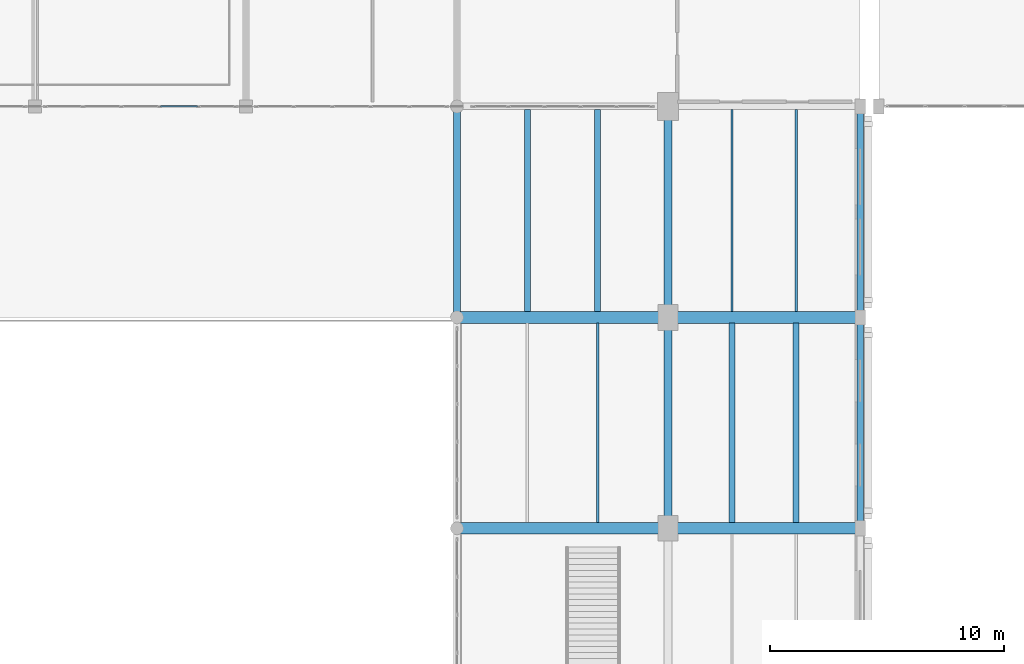
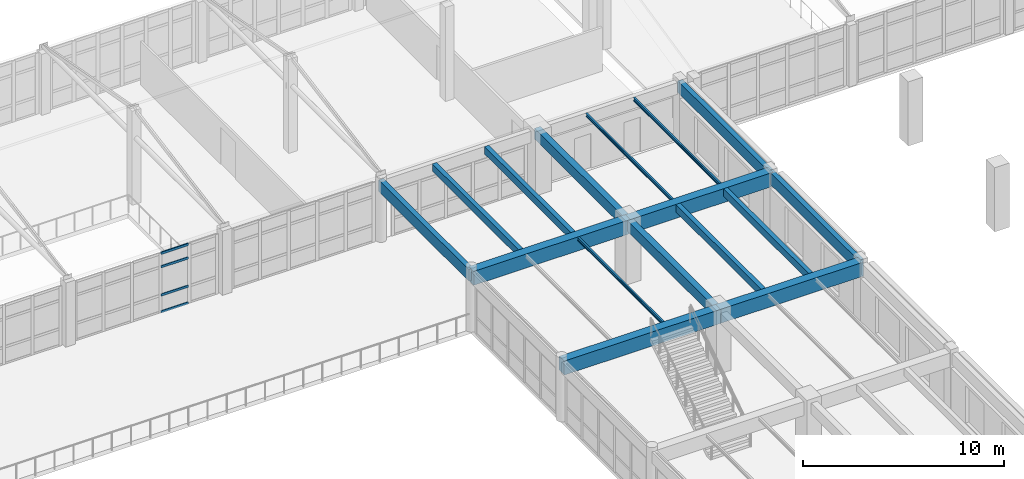
# One storey, part 63 of 156: 16 beams, 4 members, 1 element without a shape of its own.
"""IFC4 building model written with IfcOpenShell, lengths in metres."""

from ifc_helpers import new_model, si_unit, direction, frame, origin, origin_2d, place, context, subcontext, project, spatial, rectangle, hollow_rectangle, i_section, extrude, material, layer, layer_set, material_profile, profile_set, type_object, element, aggregate, save


model = new_model("IFC4")

# Units and contexts
model_context = context("Model", 3, precision=1e-05, world=origin(), true_north=direction((0.0, 1.0)))
body_context = subcontext(model_context, "Body", "Model", "MODEL_VIEW")
ifc_project = project(units=[si_unit("LENGTHUNIT", "METRE"), si_unit("AREAUNIT", "SQUARE_METRE"), si_unit("VOLUMEUNIT", "CUBIC_METRE"), si_unit("PLANEANGLEUNIT", "RADIAN"), si_unit("MASSUNIT", "GRAM", prefix="KILO")], contexts=[model_context])

# Site, building, storey
site_placement = place(None, origin())
site = spatial("IfcSite", under=ifc_project, at=site_placement, CompositionType="ELEMENT")
building_placement = place(site_placement, origin())
building = spatial("IfcBuilding", under=site, at=building_placement, Name="Ornek Quay Market", CompositionType="ELEMENT")
storey_placement = place(building_placement, frame((0.0, 0.0, 4.5)))
storey = spatial("IfcBuildingStorey", under=building, at=storey_placement, Name="L01", CompositionType="ELEMENT", Elevation=4.5)

# Beams
ifc_material_1 = material(Name="Concrete C35/45", Category="concrete")
ifc_material_profile_1 = material_profile(ifc_material_1, rectangle(XDim=0.35009765625, YDim=0.64990234375, at=origin_2d()), Name="RC 350x650", Category="concrete")
ifc_profile_set_1 = profile_set([ifc_material_profile_1], Name="Concrete C35/45")
beam_type_1 = type_object("IfcBeamType", Name="BM-CONC-350x650", PredefinedType="BEAM", material=ifc_profile_set_1)
for number, where, z_axis, x_axis, name in (
    (1, (117.0, 74.0, 3.3349609375), (0.0, 1.0, 0.0), (-1.0, 0.0, 0.0), "Primary beam B-CN1-126"),
    (2, (117.0, 83.0, 3.3349609375), (0.0, 1.0, 0.0), (-1.0, 0.0, 0.0), "Primary beam B-CN1-127"),
):
    element("IfcBeam", number, at=place(storey_placement, frame(where, z_axis=z_axis, x_axis=x_axis)), inside=storey, type_object=beam_type_1, Name=name, PredefinedType="BEAM", context=body_context, shape_type="SweptSolid", body=[
        extrude(rectangle(XDim=0.35009765625, YDim=0.64990234375, at=origin_2d()), origin(), (0.0, 0.0, 1.0), 9.0),
    ])
ifc_material_2 = material(Name="Concrete C40/50", Category="concrete")
ifc_material_profile_2 = material_profile(ifc_material_2, rectangle(XDim=0.5, YDim=0.85009765625, at=origin_2d()), Name="RC 500x850", Category="concrete")
ifc_profile_set_2 = profile_set([ifc_material_profile_2], Name="Concrete C40/50")
beam_type_2 = type_object("IfcBeamType", Name="BM-GAL-500x850", PredefinedType="BEAM", material=ifc_profile_set_2)
beam_1_placement = place(storey_placement, frame((108.0, 74.0, 3.235107421875), z_axis=(1.0, 0.0, 0.0), x_axis=(0.0, 1.0, 0.0)))
element("IfcBeam", 3, at=beam_1_placement, inside=storey, type_object=beam_type_2, Name="Primary beam B-GL1-087", PredefinedType="BEAM", context=body_context, shape_type="SweptSolid", body=[
    extrude(rectangle(XDim=0.5, YDim=0.85009765625, at=origin_2d()), origin(), (0.0, 0.0, 1.0), 9.0),
])
beam_2_placement = place(storey_placement, frame((117.0, 74.0, 3.235107421875), z_axis=(1.0, 0.0, 0.0), x_axis=(0.0, 1.0, 0.0)))
element("IfcBeam", 4, at=beam_2_placement, inside=storey, type_object=beam_type_2, Name="Primary beam B-GL1-088", PredefinedType="BEAM", context=body_context, shape_type="SweptSolid", body=[
    extrude(rectangle(XDim=0.5, YDim=0.85009765625, at=origin_2d()), origin(), (0.0, 0.0, 1.0), 8.199951171875),
])
beam_3_placement = place(storey_placement, frame((108.0, 83.0, 3.235107421875), z_axis=(1.0, 0.0, 0.0), x_axis=(0.0, 1.0, 0.0)))
element("IfcBeam", 5, at=beam_3_placement, inside=storey, type_object=beam_type_2, Name="Primary beam B-GL1-089", PredefinedType="BEAM", context=body_context, shape_type="SweptSolid", body=[
    extrude(rectangle(XDim=0.5, YDim=0.85009765625, at=origin_2d()), origin(), (0.0, 0.0, 1.0), 9.0),
])
beam_4_placement = place(storey_placement, frame((117.0, 83.0, 3.235107421875), z_axis=(1.0, 0.0, 0.0), x_axis=(0.0, 1.0, 0.0)))
element("IfcBeam", 6, at=beam_4_placement, inside=storey, type_object=beam_type_2, Name="Primary beam B-GL1-090", PredefinedType="BEAM", context=body_context, shape_type="SweptSolid", body=[
    extrude(rectangle(XDim=0.5, YDim=0.85009765625, at=origin_2d()), origin(), (0.0, 0.0, 1.0), 8.199951171875),
])
ifc_material_profile_3 = material_profile(ifc_material_1, rectangle(XDim=0.25, YDim=0.449951171875, at=origin_2d()), Name="RC 250x450", Category="concrete")
ifc_profile_set_3 = profile_set([ifc_material_profile_3], Name="Concrete C35/45")
beam_type_3 = type_object("IfcBeamType", Name="BM-SEC-250x450", PredefinedType="JOIST", material=ifc_profile_set_3)
for number, where, z_axis, x_axis, name in (
    (7, (111.0, 83.241943359375, 3.43505859375), (0.0, 1.0, 0.0), (-1.0, 0.0, 0.0), "Secondary joist B-SC3-029"),
    (8, (114.0, 83.241943359375, 3.43505859375), (0.0, 1.0, 0.0), (-1.0, 0.0, 0.0), "Secondary joist B-SC3-030"),
):
    element("IfcBeam", number, at=place(storey_placement, frame(where, z_axis=z_axis, x_axis=x_axis)), inside=storey, type_object=beam_type_3, Name=name, PredefinedType="JOIST", context=body_context, shape_type="SweptSolid", body=[
        extrude(rectangle(XDim=0.25, YDim=0.449951171875, at=origin_2d()), origin(), (0.0, 0.0, 1.0), 8.6259765625),
    ])
for number, where, z_axis, x_axis, name in (
    (9, (119.7333984375, 74.241943359375, 3.43505859375), (0.0, 1.0, 0.0), (-1.0, 0.0, 0.0), "Secondary joist B-SC3-035"),
    (10, (122.466796875, 74.241943359375, 3.43505859375), (0.0, 1.0, 0.0), (-1.0, 0.0, 0.0), "Secondary joist B-SC3-036"),
):
    element("IfcBeam", number, at=place(storey_placement, frame(where, z_axis=z_axis, x_axis=x_axis)), inside=storey, type_object=beam_type_3, Name=name, PredefinedType="JOIST", context=body_context, shape_type="SweptSolid", body=[
        extrude(rectangle(XDim=0.25, YDim=0.449951171875, at=origin_2d()), origin(), (0.0, 0.0, 1.0), 8.51611328125),
    ])
ifc_material_profile_4 = material_profile(ifc_material_1, rectangle(XDim=0.280029296875, YDim=0.699951171875, at=origin_2d()), Name="RC 280x700", Category="concrete")
ifc_profile_set_4 = profile_set([ifc_material_profile_4], Name="Concrete C35/45")
beam_type_4 = type_object("IfcBeamType", Name="BM-SPN-280x700", PredefinedType="SPANDREL", material=ifc_profile_set_4)
for number, where, z_axis, x_axis, name in (
    (11, (108.0, 83.0, 3.31005859375), (0.0, 1.0, 0.0), (-1.0, 0.0, 0.0), "Primary beam B-SP2-079"),
    (12, (125.199951171875, 74.0, 3.31005859375), (0.0, 1.0, 0.0), (-1.0, 0.0, 0.0), "Primary beam B-SP2-085"),
    (13, (125.199951171875, 83.0, 3.31005859375), (0.0, 1.0, 0.0), (-1.0, 0.0, 0.0), "Primary beam B-SP2-086"),
):
    element("IfcBeam", number, at=place(storey_placement, frame(where, z_axis=z_axis, x_axis=x_axis)), inside=storey, type_object=beam_type_4, Name=name, PredefinedType="SPANDREL", context=body_context, shape_type="SweptSolid", body=[
        extrude(rectangle(XDim=0.280029296875, YDim=0.699951171875, at=origin_2d()), origin(), (0.0, 0.0, 1.0), 9.0),
    ])
ifc_material_3 = material(Name="Steel S355", Category="steel")
ifc_material_profile_5 = material_profile(ifc_material_3, i_section(OverallWidth=0.10009765625, OverallDepth=0.199951171875, WebThickness=0.005615234375, FlangeThickness=0.008544921875, FilletRadius=0.011962890625, at=origin_2d()), Name="IPE 200", Category="steel")
ifc_profile_set_5 = profile_set([ifc_material_profile_5], Name="Steel S355")
beam_type_5 = type_object("IfcBeamType", Name="BM-STL-IPE200", PredefinedType="JOIST", material=ifc_profile_set_5)
beam_5_placement = place(storey_placement, frame((114.0, 74.241943359375, 3.56005859375), z_axis=(0.0, 1.0, 0.0), x_axis=(-1.0, 0.0, 0.0)))
element("IfcBeam", 14, at=beam_5_placement, inside=storey, type_object=beam_type_5, Name="Secondary joist SB-02-032", PredefinedType="JOIST", context=body_context, shape_type="SweptSolid", body=[
    extrude(i_section(OverallWidth=0.10009765625, OverallDepth=0.199951171875, WebThickness=0.005615234375, FlangeThickness=0.008544921875, FilletRadius=0.011962890625, at=origin_2d()), origin(), (0.0, 0.0, 1.0), 8.51611328125),
])
for number, where, z_axis, x_axis, name in (
    (15, (119.7333984375, 83.241943359375, 3.56005859375), (0.0, 1.0, 0.0), (-1.0, 0.0, 0.0), "Secondary joist SB-02-037"),
    (16, (122.466796875, 83.241943359375, 3.56005859375), (0.0, 1.0, 0.0), (-1.0, 0.0, 0.0), "Secondary joist SB-02-038"),
):
    element("IfcBeam", number, at=place(storey_placement, frame(where, z_axis=z_axis, x_axis=x_axis)), inside=storey, type_object=beam_type_5, Name=name, PredefinedType="JOIST", context=body_context, shape_type="SweptSolid", body=[
        extrude(i_section(OverallWidth=0.10009765625, OverallDepth=0.199951171875, WebThickness=0.005615234375, FlangeThickness=0.008544921875, FilletRadius=0.011962890625, at=origin_2d()), origin(), (0.0, 0.0, 1.0), 8.6259765625),
    ])

# Curtain wall, members
ifc_material_4 = material(Name="Anodised bronze aluminium and triple low-e glass", Category="aluminium")
ifc_layer = layer(ifc_material_4, 0.139892578125, Name="Anodised bronze aluminium and triple low-e glass", Category="aluminium")
ifc_layer_set = layer_set([ifc_layer], Name="Anodised bronze aluminium and triple low-e glass")
curtain_wall_type = type_object("IfcCurtainWallType", Name="CW-GALLERY-INT", PredefinedType="USERDEFINED", material=ifc_layer_set)
curtain_wall_placement = place(storey_placement, origin())
curtain_wall = element("IfcCurtainWall", 17, at=curtain_wall_placement, inside=storey, type_object=curtain_wall_type, Name="Curtain wall CW-130", ObjectType="CURTAIN WALL", PredefinedType="USERDEFINED")
ifc_material_5 = material(Name="Anodised aluminium 6063-T6", Category="aluminium")
ifc_material_profile_6 = material_profile(ifc_material_5, hollow_rectangle(XDim=0.06494140625, YDim=0.139892578125, WallThickness=0.00439453125, at=origin_2d()), Name="CW-TRN-65x140", Category="aluminium")
ifc_profile_set_6 = profile_set([ifc_material_profile_6], Name="Anodised aluminium 6063-T6")
member_type = type_object("IfcMemberType", Name="CW-TRN-65x140", PredefinedType="USERDEFINED", material=ifc_profile_set_6)
member_1_placement = place(storey_placement, frame((95.3525390625, 92.0, 0.032470703125), z_axis=(1.0, 0.0, 0.0), x_axis=(0.0, 1.0, 0.0)))
member_1 = element("IfcMember", 18, at=member_1_placement, type_object=member_type, Name="CW-130 transom 4.1", ObjectType="TRANSOM", PredefinedType="USERDEFINED", context=body_context, shape_type="SweptSolid", body=[
    extrude(hollow_rectangle(XDim=0.06494140625, YDim=0.139892578125, WallThickness=0.00439453125, at=origin_2d()), origin(), (0.0, 0.0, 1.0), 1.574951171875),
])
member_2_placement = place(storey_placement, frame((95.3525390625, 92.0, 1.050048828125), z_axis=(1.0, 0.0, 0.0), x_axis=(0.0, 1.0, 0.0)))
member_2 = element("IfcMember", 19, at=member_2_placement, type_object=member_type, Name="CW-130 transom 4.2", ObjectType="TRANSOM", PredefinedType="USERDEFINED", context=body_context, shape_type="SweptSolid", body=[
    extrude(hollow_rectangle(XDim=0.06494140625, YDim=0.139892578125, WallThickness=0.00439453125, at=origin_2d()), origin(), (0.0, 0.0, 1.0), 1.574951171875),
])
member_3_placement = place(storey_placement, frame((95.3525390625, 92.0, 2.77001953125), z_axis=(1.0, 0.0, 0.0), x_axis=(0.0, 1.0, 0.0)))
member_3 = element("IfcMember", 20, at=member_3_placement, type_object=member_type, Name="CW-130 transom 4.3", ObjectType="TRANSOM", PredefinedType="USERDEFINED", context=body_context, shape_type="SweptSolid", body=[
    extrude(hollow_rectangle(XDim=0.06494140625, YDim=0.139892578125, WallThickness=0.00439453125, at=origin_2d()), origin(), (0.0, 0.0, 1.0), 1.574951171875),
])
member_4_placement = place(storey_placement, frame((95.3525390625, 92.0, 3.58740234375), z_axis=(1.0, 0.0, 0.0), x_axis=(0.0, 1.0, 0.0)))
member_4 = element("IfcMember", 21, at=member_4_placement, type_object=member_type, Name="CW-130 transom 4.4", ObjectType="TRANSOM", PredefinedType="USERDEFINED", context=body_context, shape_type="SweptSolid", body=[
    extrude(hollow_rectangle(XDim=0.06494140625, YDim=0.139892578125, WallThickness=0.00439453125, at=origin_2d()), origin(), (0.0, 0.0, 1.0), 1.574951171875),
])
aggregate(curtain_wall, [member_1, member_2, member_3, member_4])

save(model, "model.ifc")
